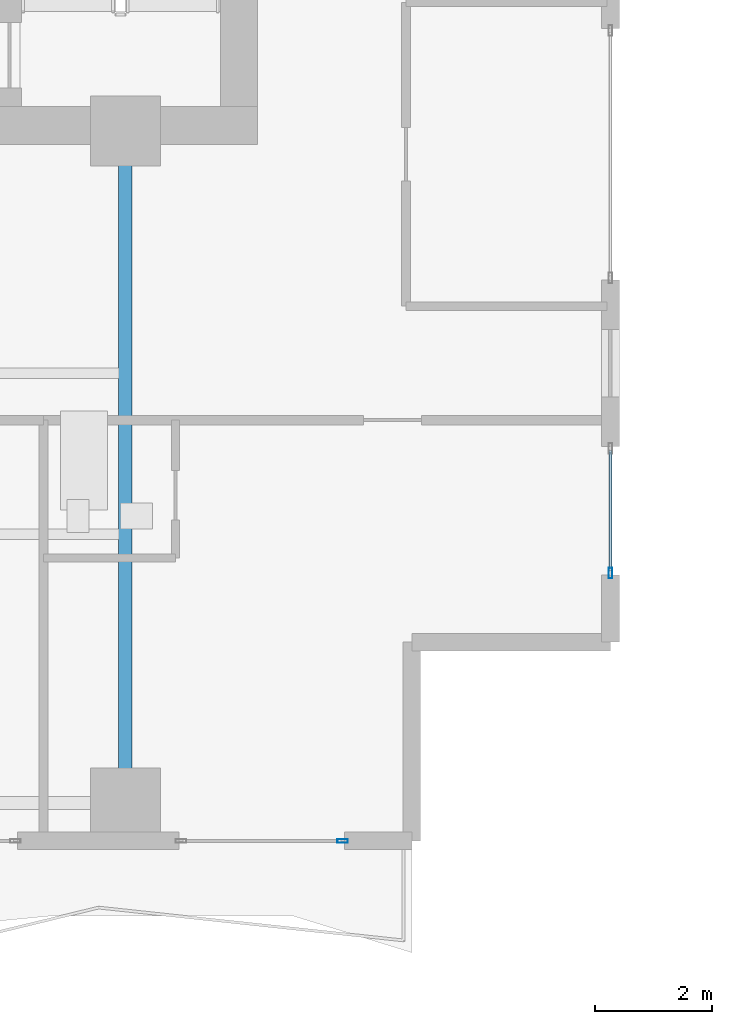
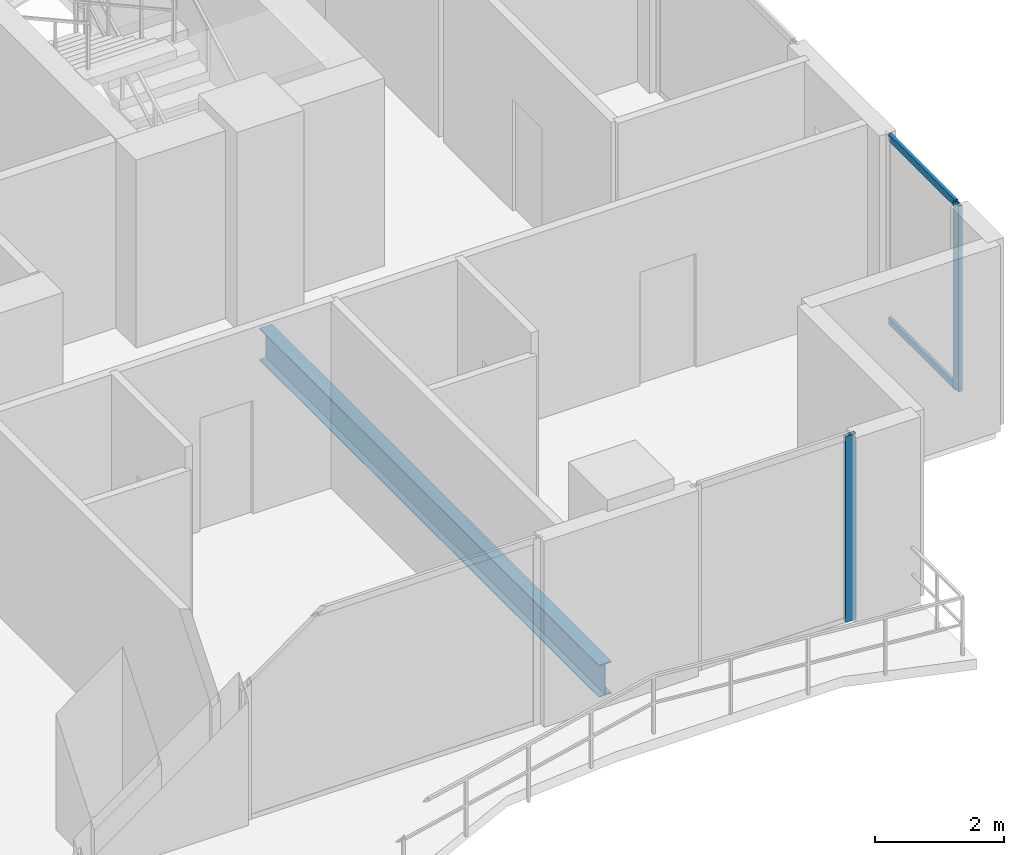
# One storey, part 10 of 32: 4 members, 1 beam, 2 elements without a shape of their own.
"""IFC4 building model written with IfcOpenShell, lengths in metres."""

from ifc_helpers import new_model, si_unit, direction, frame, origin, origin_2d, place, context, subcontext, project, spatial, hollow_rectangle, i_section, extrude, material, layer, layer_set, material_profile, profile_set, type_object, element, aggregate, save


model = new_model("IFC4")

# Units and contexts
model_context = context("Model", 3, precision=1e-05, world=origin(), true_north=direction((0.0, 1.0)))
body_context = subcontext(model_context, "Body", "Model", "MODEL_VIEW")
ifc_project = project(units=[si_unit("LENGTHUNIT", "METRE"), si_unit("AREAUNIT", "SQUARE_METRE"), si_unit("VOLUMEUNIT", "CUBIC_METRE"), si_unit("PLANEANGLEUNIT", "RADIAN"), si_unit("MASSUNIT", "GRAM", prefix="KILO")], contexts=[model_context])

# Site, building, storey
site_placement = place(None, origin())
site = spatial("IfcSite", under=ifc_project, at=site_placement, CompositionType="ELEMENT")
building_placement = place(site_placement, origin())
building = spatial("IfcBuilding", under=site, at=building_placement, Name="Zuhayl Quay Hotel", CompositionType="ELEMENT")
storey_placement = place(building_placement, frame((0.0, 0.0, 188.64990234375)))
storey = spatial("IfcBuildingStorey", under=building, at=storey_placement, Name="L47", CompositionType="ELEMENT", Elevation=188.64990234375)

# Beam
ifc_material_1 = material(Name="Steel ASTM A992 Grade 50", Category="steel")
ifc_material_profile_1 = material_profile(ifc_material_1, i_section(OverallWidth=0.22802734375, OverallDepth=0.60693359375, WebThickness=0.01123046875, FlangeThickness=0.017333984375, at=origin_2d()), Name="W24X76")
ifc_profile_set_1 = profile_set([ifc_material_profile_1], Name="Steel ASTM A992 Grade 50")
beam_type = type_object("IfcBeamType", Name="BM_B3_W24X76", PredefinedType="BEAM", material=ifc_profile_set_1)
beam_placement = place(storey_placement, frame((13.800048828125, -6.449951171875, -0.5234375), z_axis=(0.0, 1.0, 0.0), x_axis=(-1.0, 0.0, 0.0)))
element("IfcBeam", 1, at=beam_placement, inside=storey, type_object=beam_type, Name="L47 Floor Beam FG_S_L47_4", PredefinedType="BEAM", context=body_context, shape_type="SweptSolid", body=[
    extrude(i_section(OverallWidth=0.22802734375, OverallDepth=0.60693359375, WebThickness=0.01123046875, FlangeThickness=0.017333984375, at=origin_2d()), origin(), (0.0, 0.0, 1.0), 10.550048828125),
])

# Curtain wall, member
ifc_material_2 = material(Name="Anodised Aluminium 6063-T6", Category="aluminium")
ifc_layer = layer(ifc_material_2, 0.175048828125, Name="Anodised Aluminium 6063-T6", Category="aluminium")
ifc_layer_set = layer_set([ifc_layer], Name="Anodised Aluminium 6063-T6")
curtain_wall_type = type_object("IfcCurtainWallType", Name="CW_SYS_Z3", PredefinedType="USERDEFINED", material=ifc_layer_set)
curtain_wall_1_placement = place(storey_placement, origin())
curtain_wall_1 = element("IfcCurtainWall", 2, at=curtain_wall_1_placement, inside=storey, type_object=curtain_wall_type, Name="L47 Curtain Wall ENV_L47_E14_CW2", ObjectType="UNITISED CURTAIN WALL", PredefinedType="USERDEFINED")
ifc_material_3 = material(Name="Black-anodised aluminium 6063-T6", Category="aluminium")
ifc_material_profile_2 = material_profile(ifc_material_3, hollow_rectangle(XDim=0.06494140625, YDim=0.179931640625, WallThickness=0.00341796875, at=origin_2d()), Name="ALU180X65")
ifc_profile_set_2 = profile_set([ifc_material_profile_2], Name="Black-anodised aluminium 6063-T6")
member_type_1 = type_object("IfcMemberType", Name="MB_CW_MUL_180", PredefinedType="MULLION", material=ifc_profile_set_2)
member_1_placement = place(storey_placement, frame((22.10009765625, -3.017578125, 0.0), z_axis=(0.0, 0.0, 1.0), x_axis=(1.0, 0.0, 0.0)))
member_1 = element("IfcMember", 3, at=member_1_placement, type_object=member_type_1, Name="CW-Z3 mullion 2", PredefinedType="MULLION", context=body_context, shape_type="SweptSolid", body=[
    extrude(hollow_rectangle(XDim=0.06494140625, YDim=0.179931640625, WallThickness=0.00341796875, at=origin_2d()), origin(), (0.0, 0.0, 1.0), 3.530029296875),
])

curtain_wall_2_placement = place(storey_placement, origin())
curtain_wall_2 = element("IfcCurtainWall", 4, at=curtain_wall_2_placement, inside=storey, type_object=curtain_wall_type, Name="L47 Curtain Wall ENV_L47_S_CW1", ObjectType="UNITISED CURTAIN WALL", PredefinedType="USERDEFINED")
member_2_placement = place(storey_placement, frame((17.517578125, -7.60009765625, 0.0), z_axis=(0.0, 0.0, 1.0), x_axis=(0.0, -1.0, 0.0)))
member_2 = element("IfcMember", 5, at=member_2_placement, type_object=member_type_1, Name="CW-Z3 mullion 1", PredefinedType="MULLION", context=body_context, shape_type="SweptSolid", body=[
    extrude(hollow_rectangle(XDim=0.06494140625, YDim=0.179931640625, WallThickness=0.00341796875, at=origin_2d()), origin(), (0.0, 0.0, 1.0), 3.530029296875),
])
aggregate(curtain_wall_2, [member_2])

# Member
ifc_material_profile_3 = material_profile(ifc_material_3, hollow_rectangle(XDim=0.054931640625, YDim=0.1298828125, WallThickness=0.0029296875, at=origin_2d()), Name="ALU130X55")
ifc_profile_set_3 = profile_set([ifc_material_profile_3], Name="Black-anodised aluminium 6063-T6")
member_type_2 = type_object("IfcMemberType", Name="MB_CW_TRN_130", PredefinedType="USERDEFINED", material=ifc_profile_set_3)
member_3_placement = place(storey_placement, frame((22.10009765625, -0.9150390625, 0.027587890625), z_axis=(0.0, -1.0, 0.0), x_axis=(1.0, 0.0, 0.0)))
member_3 = element("IfcMember", 6, at=member_3_placement, type_object=member_type_2, Name="CW-Z3 transom 1.1", ObjectType="TRANSOM", PredefinedType="USERDEFINED", context=body_context, shape_type="SweptSolid", body=[
    extrude(hollow_rectangle(XDim=0.054931640625, YDim=0.1298828125, WallThickness=0.0029296875, at=origin_2d()), origin(), (0.0, 0.0, 1.0), 2.070068359375),
])

member_4_placement = place(storey_placement, frame((22.10009765625, -0.9150390625, 3.502685546875), z_axis=(0.0, -1.0, 0.0), x_axis=(1.0, 0.0, 0.0)))
member_4 = element("IfcMember", 7, at=member_4_placement, type_object=member_type_2, Name="CW-Z3 transom 1.2", ObjectType="TRANSOM", PredefinedType="USERDEFINED", context=body_context, shape_type="SweptSolid", body=[
    extrude(hollow_rectangle(XDim=0.054931640625, YDim=0.1298828125, WallThickness=0.0029296875, at=origin_2d()), origin(), (0.0, 0.0, 1.0), 2.070068359375),
])

aggregate(curtain_wall_1, [member_1, member_3, member_4])

save(model, "model.ifc")
